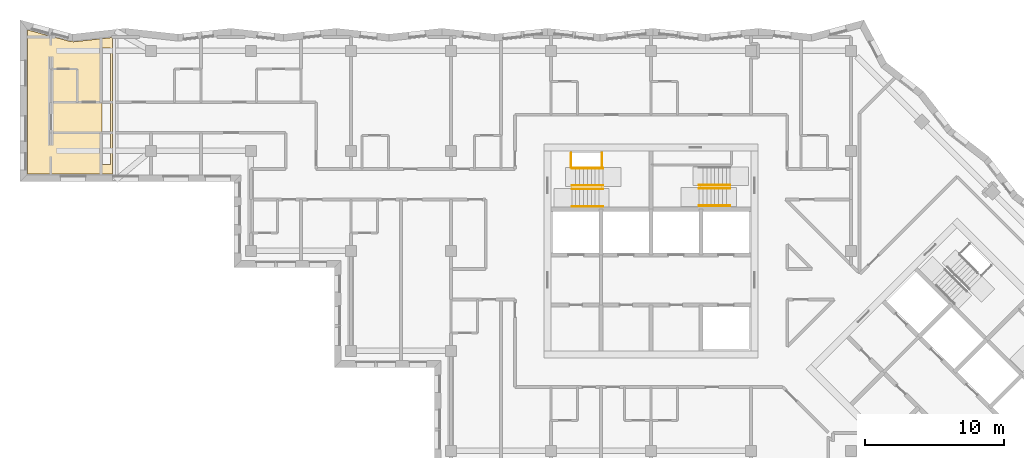
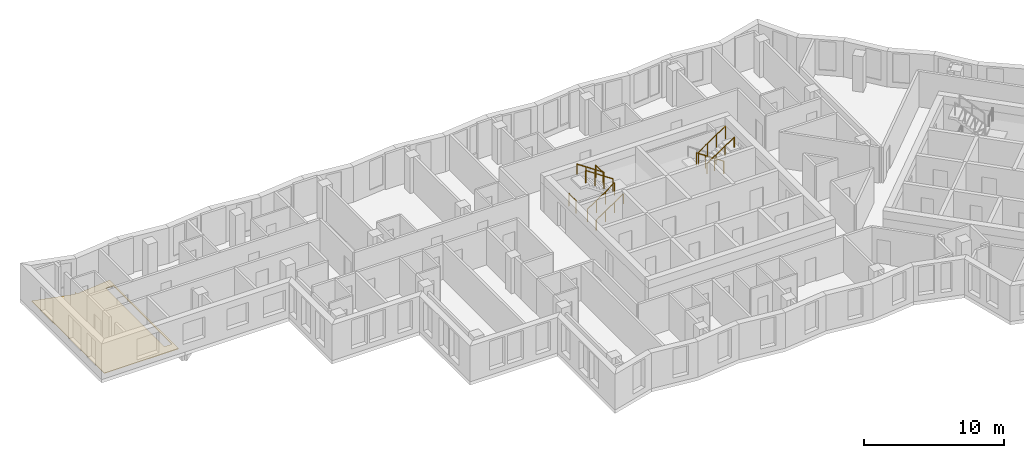
# One storey, part 11 of 13: 9 railings, 1 covering.
"""IFC4 building model written with IfcOpenShell, lengths in metres."""

import ifcopenshell
import ifcopenshell.guid

model = None  # the IFC model being written
_history = None  # IfcOwnerHistory: only IFC2X3 demands one
_inside = {}  # id of a spatial element -> (the spatial element, [elements in it])
_under = {}  # id of a project, library or spatial element -> (it, [spatial elements below it])
_declared = {}  # id of a project -> (the project, [libraries it declares])
_typed = {}  # id of a type object -> (the type object, [elements of that type])
_made_of = {}  # id of a material, layer set ... -> (it, [elements and type objects made of it])


def new_model(schema):
    """Start an empty IFC model of exactly this schema.

    Asked for "IFC4X3", IfcOpenShell would pick the latest addendum, in which some entities
    have other attributes; the version numbers below select the first issue.
    IFC2X3 requires an IfcOwnerHistory on every rooted entity: one is made here for all.
    """
    global model, _history
    if schema == "IFC4X3":
        model = ifcopenshell.file(schema_version=(4, 3, 0, 0))
    else:
        model = ifcopenshell.file(schema=schema)
    _inside.clear()
    _under.clear()
    _declared.clear()
    _typed.clear()
    _made_of.clear()
    _history = None
    if model.schema == "IFC2X3":
        org = make("IfcOrganization", Name="unknown")
        user = make(
            "IfcPersonAndOrganization",
            ThePerson=make("IfcPerson", FamilyName="unknown"),
            TheOrganization=org,
        )
        app = make(
            "IfcApplication",
            ApplicationDeveloper=org,
            Version="unknown",
            ApplicationFullName="unknown",
            ApplicationIdentifier="unknown",
        )
        _history = make(
            "IfcOwnerHistory",
            OwningUser=user,
            OwningApplication=app,
            ChangeAction="ADDED",
            CreationDate=0,
        )
    return model


def make(cls, **values):
    """One entity of the class cls with the attributes given. An attribute that is None is left unset."""
    return model.create_entity(
        cls, **{name: value for name, value in values.items() if value is not None}
    )


def rooted(cls, **values):
    """An entity with a GlobalId (a new one), such as an element, a storey or a relation."""
    return make(cls, GlobalId=ifcopenshell.guid.new(), OwnerHistory=_history, **values)


def si_unit(unit_type, name, prefix=None):
    """IfcSIUnit, for example si_unit("LENGTHUNIT", "METRE", prefix="MILLI")."""
    return make("IfcSIUnit", UnitType=unit_type, Prefix=prefix, Name=name)


def assignment(units):
    """IfcUnitAssignment: the units of a project."""
    return None if units is None else make("IfcUnitAssignment", Units=units)


def point(xyz):
    """IfcCartesianPoint."""
    return None if xyz is None else make("IfcCartesianPoint", Coordinates=xyz)


def direction(xyz):
    """IfcDirection."""
    return None if xyz is None else make("IfcDirection", DirectionRatios=xyz)


def frame(location, z_axis=None, x_axis=None):
    """IfcAxis2Placement3D, a coordinate frame: its origin and axes. An axis left out is left unset."""
    return make(
        "IfcAxis2Placement3D",
        Location=point(location),
        Axis=direction(z_axis),
        RefDirection=direction(x_axis),
    )


def frame_2d(location, x_axis=None):
    """IfcAxis2Placement2D, a coordinate frame in the plane: its origin and x axis."""
    return make(
        "IfcAxis2Placement2D", Location=point(location), RefDirection=direction(x_axis)
    )


def origin():
    """The frame at (0, 0, 0) with its axes left unset."""
    return frame((0.0, 0.0, 0.0))


def origin_2d():
    """The frame at (0, 0) in the plane with its x axis left unset."""
    return frame_2d((0.0, 0.0))


def place(relative_to, where):
    """IfcLocalPlacement: puts the frame where relative to a parent placement (None: the world)."""
    return make(
        "IfcLocalPlacement", PlacementRelTo=relative_to, RelativePlacement=where
    )


def context(
    kind, dimensions, precision=None, world=None, true_north=None, identifier=None
):
    """IfcGeometricRepresentationContext, for example the 3D "Model" context."""
    return make(
        "IfcGeometricRepresentationContext",
        ContextIdentifier=identifier,
        ContextType=kind,
        CoordinateSpaceDimension=dimensions,
        Precision=precision,
        WorldCoordinateSystem=world,
        TrueNorth=true_north,
    )


def subcontext(parent, identifier, kind, view, scale=None):
    """IfcGeometricRepresentationSubContext, for example "Body" below "Model"."""
    return make(
        "IfcGeometricRepresentationSubContext",
        ContextIdentifier=identifier,
        ContextType=kind,
        ParentContext=parent,
        TargetScale=scale,
        TargetView=view,
    )


def project(units=None, contexts=None):
    """IfcProject with its units and contexts."""
    return rooted(
        "IfcProject",
        Name="project",
        RepresentationContexts=contexts,
        UnitsInContext=assignment(units),
    )


def spatial(cls, under=None, at=None, **own):
    """A site, building, storey or space (cls), placed at a placement, below another one or the project."""
    s = rooted(cls, ObjectPlacement=at, **own)
    if under is not None:
        _under.setdefault(under.id(), (under, []))[1].append(s)
    return s


def polyline(points):
    """IfcPolyline through the points."""
    return make("IfcPolyline", Points=[point(p) for p in points])


def profile(cls, at=None, kind="AREA", **sizes):
    """A parametric profile (cls). Its sizes go by their IFC names, for example OverallWidth=200.0."""
    return make(cls, ProfileType=kind, Position=at, **sizes)


def circle(**sizes):
    """IfcCircleProfileDef."""
    return profile("IfcCircleProfileDef", **sizes)


def outline(outer, holes=None, kind="AREA"):
    """IfcArbitraryClosedProfileDef: a profile drawn as a closed curve; with holes, ...WithVoids."""
    if holes is None:
        return make("IfcArbitraryClosedProfileDef", ProfileType=kind, OuterCurve=outer)
    return make(
        "IfcArbitraryProfileDefWithVoids",
        ProfileType=kind,
        OuterCurve=outer,
        InnerCurves=holes,
    )


def extrude(swept, where, along, depth):
    """IfcExtrudedAreaSolid: the profile swept, set in the frame where, extruded along a direction by depth."""
    return make(
        "IfcExtrudedAreaSolid",
        SweptArea=swept,
        Position=where,
        ExtrudedDirection=direction(along),
        Depth=depth,
    )


def shape(context_of_items, identifier, shape_type, items):
    """IfcShapeRepresentation: the items that make up one representation, for example the "Body"."""
    return make(
        "IfcShapeRepresentation",
        ContextOfItems=context_of_items,
        RepresentationIdentifier=identifier,
        RepresentationType=shape_type,
        Items=items,
    )


def material(Name=None, Category=None):
    """IfcMaterial."""
    return make("IfcMaterial", Name=Name, Category=Category)


def layer(
    of_material, thickness, ventilated=None, Name=None, Category=None, Priority=None
):
    """IfcMaterialLayer: one layer of a wall or slab, of a material (None: an air gap)."""
    return make(
        "IfcMaterialLayer",
        Material=of_material,
        LayerThickness=thickness,
        IsVentilated=ventilated,
        Name=Name,
        Category=Category,
        Priority=Priority,
    )


def layer_set(layers, Name=None):
    """IfcMaterialLayerSet."""
    return make("IfcMaterialLayerSet", MaterialLayers=layers, LayerSetName=Name)


def made_of(thing, what):
    """Note that an element or type object is made of a material, layer set ...; save() writes the relation."""
    if what is not None:
        _made_of.setdefault(what.id(), (what, []))[1].append(thing)
    return thing


def type_object(cls, material=None, **own):
    """A type object (cls), such as IfcWallType, which elements share."""
    return made_of(rooted(cls, **own), material)


def element(
    cls,
    number,
    at=None,
    inside=None,
    cuts=None,
    type_object=None,
    material=None,
    context=None,
    identifier="Body",
    shape_type=None,
    held_by="IfcProductDefinitionShape",
    body=None,
    shapes=None,
    **own,
):
    """One element of the class cls, such as IfcWall. Its Tag is "e" and its number.

    at: its placement. inside: the storey or other place that contains it. cuts: it is an
    opening in that element (IfcRelVoidsElement). A single representation is given by context,
    identifier, shape_type and body (its items); several are given by shapes. held_by: the class
    of the entity that holds the representations. save() writes the other relations.
    """
    e = rooted(cls, Tag="e%d" % number, ObjectPlacement=at, **own)
    if body is not None:
        shapes = [shape(context, identifier, shape_type, body)]
    if shapes is not None:
        e.Representation = make(held_by, Representations=shapes)
    if inside is not None:
        _inside.setdefault(inside.id(), (inside, []))[1].append(e)
    if cuts is not None:
        rooted(
            "IfcRelVoidsElement", RelatingBuildingElement=cuts, RelatedOpeningElement=e
        )
    if type_object is not None:
        _typed.setdefault(type_object.id(), (type_object, []))[1].append(e)
    return made_of(e, material)


def aggregate(whole, parts):
    """IfcRelAggregates: a whole, such as a stair, and the parts it consists of."""
    return rooted("IfcRelAggregates", RelatingObject=whole, RelatedObjects=parts)


def save(model, path):
    """Write the relations noted so far, then the file.

    IfcRelAggregates (storeys below a building ...), IfcRelContainedInSpatialStructure (elements
    in a storey), IfcRelDefinesByType, IfcRelAssociatesMaterial and IfcRelDeclares: one each for
    every whole, place, type object, material and project.
    """
    for whole, parts in _under.values():
        aggregate(whole, parts)
    for where, things in _inside.values():
        rooted(
            "IfcRelContainedInSpatialStructure",
            RelatedElements=things,
            RelatingStructure=where,
        )
    for kind, things in _typed.values():
        rooted("IfcRelDefinesByType", RelatedObjects=things, RelatingType=kind)
    for what, things in _made_of.values():
        rooted("IfcRelAssociatesMaterial", RelatedObjects=things, RelatingMaterial=what)
    for by, libraries in _declared.values():
        rooted("IfcRelDeclares", RelatingContext=by, RelatedDefinitions=libraries)
    model.write(path)


model = new_model("IFC4")

# Units and contexts
model_context = context("Model", 3, precision=1e-05, world=origin(), true_north=direction((0.0, 1.0)))
body_context = subcontext(model_context, "Body", "Model", "MODEL_VIEW")
ifc_project = project(units=[si_unit("LENGTHUNIT", "METRE"), si_unit("AREAUNIT", "SQUARE_METRE"), si_unit("VOLUMEUNIT", "CUBIC_METRE"), si_unit("PLANEANGLEUNIT", "RADIAN"), si_unit("MASSUNIT", "GRAM", prefix="KILO")], contexts=[model_context])

# Site, building, storey
site_placement = place(None, origin())
site = spatial("IfcSite", under=ifc_project, at=site_placement, CompositionType="ELEMENT")
building_placement = place(site_placement, origin())
building = spatial("IfcBuilding", under=site, at=building_placement, Name="Windrow Commons", CompositionType="ELEMENT")
storey_placement = place(building_placement, frame((0.0, 0.0, 203.2)))
storey = spatial("IfcBuildingStorey", under=building, at=storey_placement, Name="L55", CompositionType="ELEMENT", Elevation=203.2)

# Railings
ifc_material_1 = material(Name="Steel S355", Category="steel")
railing_type_1 = type_object("IfcRailingType", Name="Core stair guard 1100", PredefinedType="GUARDRAIL", material=ifc_material_1)
railing_1_placement = place(storey_placement, frame((59.1, 62.05, 0.1889)))
element("IfcRailing", 1, at=railing_1_placement, inside=storey, type_object=railing_type_1, Name="L55 ST-A1 stair guard 1", PredefinedType="GUARDRAIL", context=body_context, shape_type="SweptSolid", body=[
    extrude(circle(Radius=0.024, at=origin_2d()), frame((0.0, 0.0, 1.076), z_axis=(0.8290030985, 0.0, 0.5592440099), x_axis=(0.0, 1.0, 0.0)), (0.0, 0.0, 1.0), 2.702),
    extrude(circle(Radius=0.021, at=origin_2d()), origin(), (0.0, 0.0, 1.0), 1.052),
    extrude(circle(Radius=0.021, at=origin_2d()), frame((0.7467, 0.0, 0.5037)), (0.0, 0.0, 1.0), 1.052),
    extrude(circle(Radius=0.021, at=origin_2d()), frame((1.4933, 0.0, 1.0074)), (0.0, 0.0, 1.0), 1.052),
    extrude(circle(Radius=0.021, at=origin_2d()), frame((2.24, 0.0, 1.5111)), (0.0, 0.0, 1.0), 1.052),
])
railing_2_placement = place(storey_placement, frame((61.34, 62.3, 1.8889)))
element("IfcRailing", 2, at=railing_2_placement, inside=storey, type_object=railing_type_1, Name="L55 ST-A1 stair guard 2", PredefinedType="GUARDRAIL", context=body_context, shape_type="SweptSolid", body=[
    extrude(circle(Radius=0.024, at=origin_2d()), frame((0.0, 0.0, 1.076), z_axis=(-0.8290030985, 0.0, 0.5592440099), x_axis=(0.0, -1.0, 0.0)), (0.0, 0.0, 1.0), 2.702),
    extrude(circle(Radius=0.021, at=origin_2d()), origin(), (0.0, 0.0, 1.0), 1.052),
    extrude(circle(Radius=0.021, at=origin_2d()), frame((-0.7467, 0.0, 0.5037)), (0.0, 0.0, 1.0), 1.052),
    extrude(circle(Radius=0.021, at=origin_2d()), frame((-1.4933, 0.0, 1.0074)), (0.0, 0.0, 1.0), 1.052),
    extrude(circle(Radius=0.021, at=origin_2d()), frame((-2.24, 0.0, 1.5111)), (0.0, 0.0, 1.0), 1.052),
])
for number, where, name in (
    (3, (59.05, 63.6, 0.0), "L55 ST-A1 stair guard 3"),
    (4, (61.27, 63.6, 1.7), "L55 ST-A1 stair guard 4"),
):
    element("IfcRailing", number, at=place(storey_placement, frame(where)), inside=storey, type_object=railing_type_1, Name=name, PredefinedType="GUARDRAIL", context=body_context, shape_type="SweptSolid", body=[
        extrude(circle(Radius=0.024, at=origin_2d()), frame((0.0, 0.0, 1.076), z_axis=(0.0, 1.0, 0.0), x_axis=(-1.0, 0.0, 0.0)), (0.0, 0.0, 1.0), 1.03),
        extrude(circle(Radius=0.021, at=origin_2d()), origin(), (0.0, 0.0, 1.0), 1.052),
        extrude(circle(Radius=0.021, at=origin_2d()), frame((0.0, 1.03, 0.0)), (0.0, 0.0, 1.0), 1.052),
    ])
railing_3_placement = place(storey_placement, frame((70.5, 62.355, 0.1889)))
element("IfcRailing", 5, at=railing_3_placement, inside=storey, type_object=railing_type_1, Name="L55 ST-A2 stair guard 1", PredefinedType="GUARDRAIL", context=body_context, shape_type="SweptSolid", body=[
    extrude(circle(Radius=0.024, at=origin_2d()), frame((0.0, 0.0, 1.076), z_axis=(-0.8290030985, 0.0, 0.5592440099), x_axis=(0.0, -1.0, 0.0)), (0.0, 0.0, 1.0), 2.702),
    extrude(circle(Radius=0.021, at=origin_2d()), origin(), (0.0, 0.0, 1.0), 1.052),
    extrude(circle(Radius=0.021, at=origin_2d()), frame((-0.7467, 0.0, 0.5037)), (0.0, 0.0, 1.0), 1.052),
    extrude(circle(Radius=0.021, at=origin_2d()), frame((-1.4933, 0.0, 1.0074)), (0.0, 0.0, 1.0), 1.052),
    extrude(circle(Radius=0.021, at=origin_2d()), frame((-2.24, 0.0, 1.5111)), (0.0, 0.0, 1.0), 1.052),
])
railing_4_placement = place(storey_placement, frame((68.26, 62.105, 1.8889)))
element("IfcRailing", 6, at=railing_4_placement, inside=storey, type_object=railing_type_1, Name="L55 ST-A2 stair guard 2", PredefinedType="GUARDRAIL", context=body_context, shape_type="SweptSolid", body=[
    extrude(circle(Radius=0.024, at=origin_2d()), frame((0.0, 0.0, 1.076), z_axis=(0.8290030985, 0.0, 0.5592440099), x_axis=(0.0, 1.0, 0.0)), (0.0, 0.0, 1.0), 2.702),
    extrude(circle(Radius=0.021, at=origin_2d()), origin(), (0.0, 0.0, 1.0), 1.052),
    extrude(circle(Radius=0.021, at=origin_2d()), frame((0.7467, 0.0, 0.5037)), (0.0, 0.0, 1.0), 1.052),
    extrude(circle(Radius=0.021, at=origin_2d()), frame((1.4933, 0.0, 1.0074)), (0.0, 0.0, 1.0), 1.052),
    extrude(circle(Radius=0.021, at=origin_2d()), frame((2.24, 0.0, 1.5111)), (0.0, 0.0, 1.0), 1.052),
])
ifc_material_2 = material(Name="Steel S355", Category="steel")
railing_type_2 = type_object("IfcRailingType", Name="Core stair handrail 900", PredefinedType="HANDRAIL", material=ifc_material_2)
railing_5_placement = place(storey_placement, frame((59.1, 60.8, 0.1889)))
element("IfcRailing", 7, at=railing_5_placement, inside=storey, type_object=railing_type_2, Name="L55 ST-A1 stair handrail 1", PredefinedType="HANDRAIL", context=body_context, shape_type="SweptSolid", body=[
    extrude(circle(Radius=0.024, at=origin_2d()), frame((0.0, 0.0, 0.876), z_axis=(0.8290030985, 0.0, 0.5592440099), x_axis=(0.0, 1.0, 0.0)), (0.0, 0.0, 1.0), 2.702),
    extrude(circle(Radius=0.021, at=origin_2d()), origin(), (0.0, 0.0, 1.0), 0.852),
    extrude(circle(Radius=0.021, at=origin_2d()), frame((0.7467, 0.0, 0.5037)), (0.0, 0.0, 1.0), 0.852),
    extrude(circle(Radius=0.021, at=origin_2d()), frame((1.4933, 0.0, 1.0074)), (0.0, 0.0, 1.0), 0.852),
    extrude(circle(Radius=0.021, at=origin_2d()), frame((2.24, 0.0, 1.5111)), (0.0, 0.0, 1.0), 0.852),
])
railing_6_placement = place(storey_placement, frame((61.34, 63.55, 1.8889)))
element("IfcRailing", 8, at=railing_6_placement, inside=storey, type_object=railing_type_2, Name="L55 ST-A1 stair handrail 2", PredefinedType="HANDRAIL", context=body_context, shape_type="SweptSolid", body=[
    extrude(circle(Radius=0.024, at=origin_2d()), frame((0.0, 0.0, 0.876), z_axis=(-0.8290030985, 0.0, 0.5592440099), x_axis=(0.0, -1.0, 0.0)), (0.0, 0.0, 1.0), 2.702),
    extrude(circle(Radius=0.021, at=origin_2d()), origin(), (0.0, 0.0, 1.0), 0.852),
    extrude(circle(Radius=0.021, at=origin_2d()), frame((-0.7467, 0.0, 0.5037)), (0.0, 0.0, 1.0), 0.852),
    extrude(circle(Radius=0.021, at=origin_2d()), frame((-1.4933, 0.0, 1.0074)), (0.0, 0.0, 1.0), 0.852),
    extrude(circle(Radius=0.021, at=origin_2d()), frame((-2.24, 0.0, 1.5111)), (0.0, 0.0, 1.0), 0.852),
])
railing_7_placement = place(storey_placement, frame((68.26, 60.855, 1.8889)))
element("IfcRailing", 9, at=railing_7_placement, inside=storey, type_object=railing_type_2, Name="L55 ST-A2 stair handrail 2", PredefinedType="HANDRAIL", context=body_context, shape_type="SweptSolid", body=[
    extrude(circle(Radius=0.024, at=origin_2d()), frame((0.0, 0.0, 0.876), z_axis=(0.8290030985, 0.0, 0.5592440099), x_axis=(0.0, 1.0, 0.0)), (0.0, 0.0, 1.0), 2.702),
    extrude(circle(Radius=0.021, at=origin_2d()), origin(), (0.0, 0.0, 1.0), 0.852),
    extrude(circle(Radius=0.021, at=origin_2d()), frame((0.7467, 0.0, 0.5037)), (0.0, 0.0, 1.0), 0.852),
    extrude(circle(Radius=0.021, at=origin_2d()), frame((1.4933, 0.0, 1.0074)), (0.0, 0.0, 1.0), 0.852),
    extrude(circle(Radius=0.021, at=origin_2d()), frame((2.24, 0.0, 1.5111)), (0.0, 0.0, 1.0), 0.852),
])

# Covering
ifc_material_3 = material(Name="Granite pavers on waterproofing membrane", Category="masonry")
ifc_layer = layer(ifc_material_3, 0.05)
ifc_layer_set = layer_set([ifc_layer], Name="Terrace roofing 50")
covering_type = type_object("IfcCoveringType", Name="Terrace roofing 50", PredefinedType="ROOFING", material=ifc_layer_set)
covering_placement = place(storey_placement, origin())
element("IfcCovering", 10, at=covering_placement, inside=storey, type_object=covering_type, Name="Terrace roofing TR-L55-1", PredefinedType="ROOFING", context=body_context, shape_type="SweptSolid", body=[
    extrude(outline(polyline([(26.039, 72.9642), (26.039, 63.129), (19.929, 63.129), (19.929, 73.5035), (23.078, 72.6566), (23.156, 72.9463), (23.189, 72.6481), (26.039, 72.9642)]), holes=[polyline([(25.909, 63.829), (25.909, 72.2148), (25.289, 72.2148), (25.289, 63.829), (25.909, 63.829)])]), origin(), (0.0, 0.0, 1.0), 0.05),
])

save(model, "model.ifc")
